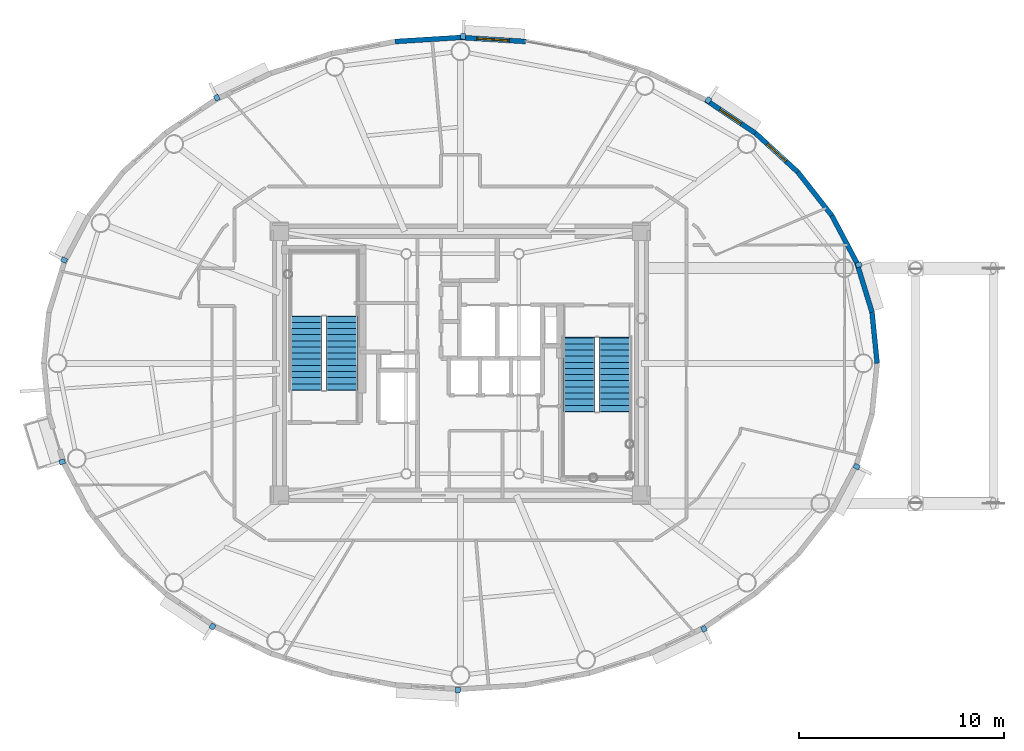
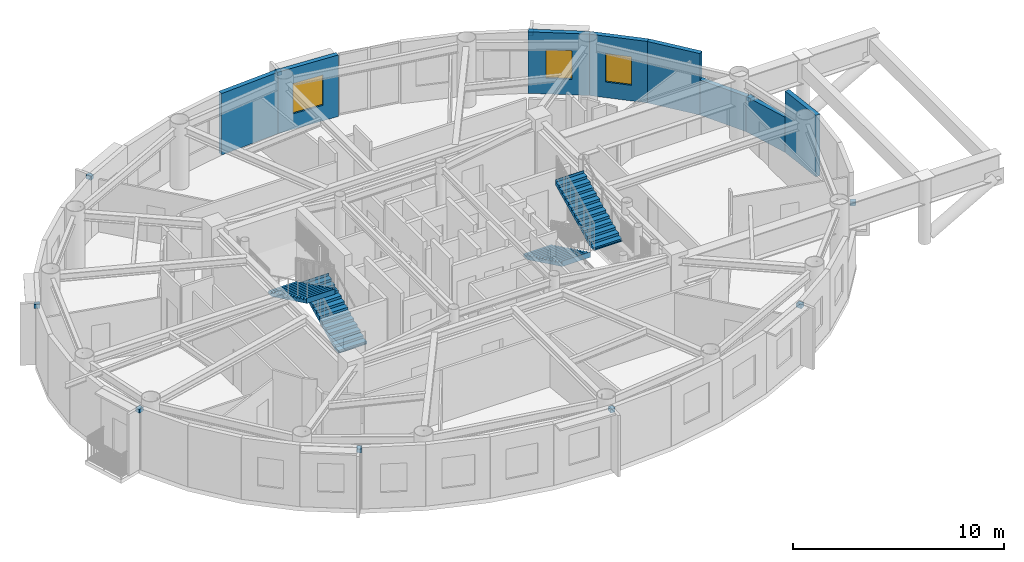
# One storey, part 12 of 19: 10 discrete accessories, 8 walls, 4 stair flights, 3 windows, 3 openings, 2 elements without a shape of their own.
"""IFC4 building model written with IfcOpenShell, lengths in metres."""

from ifc_helpers import new_model, si_unit, direction, frame, frame_2d, origin, origin_2d, place, context, subcontext, project, spatial, polyline, rectangle, outline, extrude, source, transform, mapped, material, layer, layer_set, type_object, element, fill, aggregate, save


model = new_model("IFC4")

# Units and contexts
model_context = context("Model", 3, precision=1e-05, world=origin(), true_north=direction((0.0, 1.0)))
body_context = subcontext(model_context, "Body", "Model", "MODEL_VIEW")
ifc_project = project(units=[si_unit("LENGTHUNIT", "METRE"), si_unit("AREAUNIT", "SQUARE_METRE"), si_unit("VOLUMEUNIT", "CUBIC_METRE"), si_unit("PLANEANGLEUNIT", "RADIAN"), si_unit("MASSUNIT", "GRAM", prefix="KILO")], contexts=[model_context])

# Site, building, storey
site_placement = place(None, origin())
site = spatial("IfcSite", under=ifc_project, at=site_placement, CompositionType="ELEMENT")
building_placement = place(site_placement, origin())
building = spatial("IfcBuilding", under=site, at=building_placement, Name="Linh Dai School and Residence Tower", CompositionType="ELEMENT")
storey_placement = place(building_placement, frame((0.0, 0.0, 339.199951171875)))
storey = spatial("IfcBuildingStorey", under=building, at=storey_placement, Name="L84", CompositionType="ELEMENT", Elevation=339.199951171875)

# Walls
ifc_material_1 = material(Name="Precast Concrete B45 (C35/45)", Category="concrete")
ifc_layer = layer(ifc_material_1, 0.239990234375)
ifc_layer_set = layer_set([ifc_layer], Name="Precast Concrete B45 (C35/45)")
wall_type = type_object("IfcWallType", Name="EW-TC-240", PredefinedType="SOLIDWALL", material=ifc_layer_set)
wall_1_placement = place(storey_placement, frame((56.125, 29.48681640625, 0.0), z_axis=(0.0, 0.0, 1.0), x_axis=(0.100025963401, -0.994984827344, 0.0)))
element("IfcWall", 1, at=wall_1_placement, inside=storey, type_object=wall_type, Name="L84 Terracotta Exterior Wall 01", PredefinedType="SOLIDWALL", context=body_context, shape_type="SweptSolid", body=[
    extrude(rectangle(XDim=2.499267578125, YDim=0.239990234375, at=frame_2d((1.24951171875, 0.0))), origin(), (0.0, 0.0, 1.0), 3.550048828125),
])
wall_2_placement = place(storey_placement, frame((55.381103515625, 31.913330078125, 0.0), z_axis=(0.0, 0.0, 1.0), x_axis=(0.293105547213, -0.956080089842, 0.0)))
element("IfcWall", 2, at=wall_2_placement, inside=storey, type_object=wall_type, Name="L84 Terracotta Exterior Wall 02", PredefinedType="SOLIDWALL", context=body_context, shape_type="SweptSolid", body=[
    extrude(rectangle(XDim=2.5380859375, YDim=0.239990234375, at=frame_2d((1.26904296875, 0.0))), origin(), (0.0, 0.0, 1.0), 2.03515625),
])
wall_3_placement = place(storey_placement, frame((54.160888671875, 34.220703125, 0.0), z_axis=(0.0, 0.0, 1.0), x_axis=(0.467487999989, -0.883999417345, 0.0)))
element("IfcWall", 3, at=wall_3_placement, inside=storey, type_object=wall_type, Name="L84 Terracotta Exterior Wall 03", PredefinedType="SOLIDWALL", context=body_context, shape_type="SweptSolid", body=[
    extrude(rectangle(XDim=2.610107421875, YDim=0.239990234375, at=frame_2d((1.30517578125, 0.0))), origin(), (0.0, 0.0, 1.0), 2.03515625),
])
wall_4_placement = place(storey_placement, frame((52.4931640625, 36.351806640625, 0.0), z_axis=(0.0, 0.0, 1.0), x_axis=(0.616286367698, -0.78752213492, 0.0)))
element("IfcWall", 4, at=wall_4_placement, inside=storey, type_object=wall_type, Name="L84 Terracotta Exterior Wall 04", PredefinedType="SOLIDWALL", context=body_context, shape_type="SweptSolid", body=[
    extrude(rectangle(XDim=2.7060546875, YDim=0.239990234375, at=frame_2d((1.35302734375, 0.0))), origin(), (0.0, 0.0, 1.0), 3.550048828125),
])

# Wall, opening, window
wall_5_placement = place(storey_placement, frame((50.418701171875, 38.254150390625, 0.0), z_axis=(0.0, 0.0, 1.0), x_axis=(0.737020907932, -0.675869944051, 0.0)))
wall_5 = element("IfcWall", 5, at=wall_5_placement, inside=storey, type_object=wall_type, Name="L84 Terracotta Exterior Wall 05", PredefinedType="SOLIDWALL", context=body_context, shape_type="SweptSolid", body=[
    extrude(rectangle(XDim=2.814697265625, YDim=0.239990234375, at=frame_2d((1.4072265625, 0.0))), origin(), (0.0, 0.0, 1.0), 3.550048828125),
])
opening_1_placement = place(wall_5_placement, frame((0.781982421875, 0.0, 0.89990234375)))
opening_1 = element("IfcOpeningElement", 6, at=opening_1_placement, cuts=wall_5, Name="Opening W3", PredefinedType="OPENING", context=body_context, shape_type="SweptSolid", body=[
    extrude(rectangle(XDim=1.25, YDim=1.64990234375, at=origin_2d()), frame((0.625, 0.1298828125, 0.824951171875), z_axis=(0.0, -1.0, 0.0), x_axis=(1.0, 0.0, 0.0)), (0.0, 0.0, 1.0), 0.260009765625),
])
ifc_material_2 = material(Name="Double Low-E Insulated Glazing", Category="glass")
window_type_1 = type_object("IfcWindowType", Name="WN-RES-1250x1650", PartitioningType="SINGLE_PANEL", PredefinedType="WINDOW", material=ifc_material_2)
shared_shape_1 = source(origin(), body_context, "Body", "SweptSolid", [
    extrude(rectangle(XDim=1.25, YDim=1.64990234375, at=origin_2d()), frame((0.625, 0.030029296875, 0.824951171875), z_axis=(0.0, -1.0, 0.0), x_axis=(1.0, 0.0, 0.0)), (0.0, 0.0, 1.0), 0.06005859375),
])
window_1_placement = place(opening_1_placement, origin())
window_1 = element("IfcWindow", 7, at=window_1_placement, inside=storey, type_object=window_type_1, Name="L84 Exterior Window 05.1", OverallHeight=1.64990234375, OverallWidth=1.25, PartitioningType="SINGLE_PANEL", PredefinedType="WINDOW", context=body_context, shape_type="MappedRepresentation", body=[
    mapped(shared_shape_1, transform((0.0, 0.0, 0.0), x_axis=(1.0, 0.0, 0.0), y_axis=(0.0, 1.0, 0.0), z_axis=(0.0, 0.0, 1.0), scale=1.0)),
])
fill(opening_1, window_1)

wall_6_placement = place(storey_placement, frame((47.98779296875, 39.880126953125, 0.0), z_axis=(0.0, 0.0, 1.0), x_axis=(0.831201688654, -0.555970999944, 0.0)))
wall_6 = element("IfcWall", 8, at=wall_6_placement, inside=storey, type_object=wall_type, Name="L84 Terracotta Exterior Wall 06", PredefinedType="SOLIDWALL", context=body_context, shape_type="SweptSolid", body=[
    extrude(rectangle(XDim=2.924560546875, YDim=0.239990234375, at=frame_2d((1.46240234375, 0.0))), origin(), (0.0, 0.0, 1.0), 3.550048828125),
])
opening_2_placement = place(wall_6_placement, frame((0.837158203125, 0.0, 0.89990234375)))
opening_2 = element("IfcOpeningElement", 9, at=opening_2_placement, cuts=wall_6, Name="Opening W3", PredefinedType="OPENING", context=body_context, shape_type="SweptSolid", body=[
    extrude(rectangle(XDim=1.25, YDim=1.64990234375, at=origin_2d()), frame((0.625, 0.1298828125, 0.824951171875), z_axis=(0.0, -1.0, 0.0), x_axis=(1.0, 0.0, 0.0)), (0.0, 0.0, 1.0), 0.260009765625),
])
window_2_placement = place(opening_2_placement, origin())
window_2 = element("IfcWindow", 10, at=window_2_placement, inside=storey, type_object=window_type_1, Name="L84 Exterior Window 06.1", OverallHeight=1.64990234375, OverallWidth=1.25, PartitioningType="SINGLE_PANEL", PredefinedType="WINDOW", context=body_context, shape_type="MappedRepresentation", body=[
    mapped(shared_shape_1, transform((0.0, 0.0, 0.0), x_axis=(1.0, 0.0, 0.0), y_axis=(0.0, 1.0, 0.0), z_axis=(0.0, 0.0, 1.0), scale=1.0)),
])
fill(opening_2, window_2)

wall_7_placement = place(storey_placement, frame((36.0, 42.929931640625, 0.0), z_axis=(0.0, 0.0, 1.0), x_axis=(0.998109204399, -0.061465568355, 0.0)))
wall_7 = element("IfcWall", 11, at=wall_7_placement, inside=storey, type_object=wall_type, Name="L84 Terracotta Exterior Wall 10", PredefinedType="SOLIDWALL", context=body_context, shape_type="SweptSolid", body=[
    extrude(rectangle(XDim=3.197509765625, YDim=0.239990234375, at=frame_2d((1.5986328125, 0.0))), origin(), (0.0, 0.0, 1.0), 3.550048828125),
])
opening_3_placement = place(wall_7_placement, frame((0.798828125, 0.0, 0.89990234375)))
opening_3 = element("IfcOpeningElement", 12, at=opening_3_placement, cuts=wall_7, Name="Opening W2", PredefinedType="OPENING", context=body_context, shape_type="SweptSolid", body=[
    extrude(rectangle(XDim=1.60009765625, YDim=1.75, at=origin_2d()), frame((0.800048828125, 0.1298828125, 0.875), z_axis=(0.0, -1.0, 0.0), x_axis=(1.0, 0.0, 0.0)), (0.0, 0.0, 1.0), 0.260009765625),
])
window_type_2 = type_object("IfcWindowType", Name="WN-RES-1600x1750", PartitioningType="DOUBLE_PANEL_VERTICAL", PredefinedType="WINDOW", material=ifc_material_2)
shared_shape_2 = source(origin(), body_context, "Body", "SweptSolid", [
    extrude(rectangle(XDim=1.60009765625, YDim=1.75, at=origin_2d()), frame((0.800048828125, 0.030029296875, 0.875), z_axis=(0.0, -1.0, 0.0), x_axis=(1.0, 0.0, 0.0)), (0.0, 0.0, 1.0), 0.06005859375),
])
window_3_placement = place(opening_3_placement, origin())
window_3 = element("IfcWindow", 13, at=window_3_placement, inside=storey, type_object=window_type_2, Name="L84 Exterior Window 10.1", OverallHeight=1.75, OverallWidth=1.60009765625, PartitioningType="DOUBLE_PANEL_VERTICAL", PredefinedType="WINDOW", context=body_context, shape_type="MappedRepresentation", body=[
    mapped(shared_shape_2, transform((0.0, 0.0, 0.0), x_axis=(1.0, 0.0, 0.0), y_axis=(0.0, 1.0, 0.0), z_axis=(0.0, 0.0, 1.0), scale=1.0)),
])
fill(opening_3, window_3)

# Wall
wall_8_placement = place(storey_placement, frame((32.80859375, 42.7333984375, 0.0), z_axis=(0.0, 0.0, 1.0), x_axis=(0.998109204399, 0.061465568355, 0.0)))
element("IfcWall", 14, at=wall_8_placement, inside=storey, type_object=wall_type, Name="L84 Terracotta Exterior Wall 11", PredefinedType="SOLIDWALL", context=body_context, shape_type="SweptSolid", body=[
    extrude(rectangle(XDim=3.197509765625, YDim=0.239990234375, at=frame_2d((1.5986328125, 0.0))), origin(), (0.0, 0.0, 1.0), 3.550048828125),
])

# Stair, stair flights
ifc_material_3 = material(Name="Concrete B45 (C35/45)", Category="concrete")
stair_type = type_object("IfcStairType", Name="ST-DOG-1550-R1462", PredefinedType="HALF_TURN_STAIR", material=ifc_material_3)
stair_1_placement = place(storey_placement, origin())
stair_1 = element("IfcStair", 15, at=stair_1_placement, inside=storey, type_object=stair_type, Name="L84 Core Smokeproof Exit Stair ST1", PredefinedType="HALF_TURN_STAIR")
stair_flight_type = type_object("IfcStairFlightType", Name="STF-STR-1550-R1462", PredefinedType="STRAIGHT", material=ifc_material_3)
shared_shape_3 = source(origin(), body_context, "Body", "SweptSolid", [
    extrude(outline(polyline([(-0.02490234375, 0.0), (-0.02490234375, 0.06005859375), (0.0, 0.06005859375), (0.0, 0.146240234375), (0.300048828125, 0.146240234375), (0.300048828125, 0.292236328125), (0.60009765625, 0.292236328125), (0.60009765625, 0.4384765625), (0.89990234375, 0.4384765625), (0.89990234375, 0.584716796875), (1.199951171875, 0.584716796875), (1.199951171875, 0.730712890625), (1.5, 0.730712890625), (1.5, 0.876953125), (1.800048828125, 0.876953125), (1.800048828125, 1.023193359375), (2.10009765625, 1.023193359375), (2.10009765625, 1.169189453125), (2.39990234375, 1.169189453125), (2.39990234375, 1.3154296875), (2.699951171875, 1.3154296875), (2.699951171875, 1.46142578125), (3.0, 1.46142578125), (3.0, 1.607666015625), (3.300048828125, 1.607666015625), (3.300048828125, 1.75390625), (3.60009765625, 1.75390625), (3.60009765625, 1.89990234375), (3.625, 1.89990234375), (3.625, 1.587158203125), (3.60009765625, 1.587158203125), (0.34228515625, 0.0), (-0.02490234375, 0.0)])), frame((0.0, 0.77490234375, 0.0), z_axis=(0.0, -1.0, 0.0), x_axis=(1.0, 0.0, 0.0)), (0.0, 0.0, 1.0), 1.550048828125),
])
stair_flight_1_placement = place(storey_placement, frame((30.205078125, 25.699951171875, 0.0), z_axis=(0.0, 0.0, 1.0), x_axis=(0.0, 1.0, 0.0)))
stair_flight_1 = element("IfcStairFlight", 16, at=stair_flight_1_placement, type_object=stair_flight_type, Name="ST1 flight 1", NumberOfRisers=13, NumberOfTreads=12, PredefinedType="STRAIGHT", RiserHeight=0.146153846, TreadLength=0.3, context=body_context, shape_type="MappedRepresentation", body=[
    mapped(shared_shape_3, transform((0.0, 0.0, 0.0), x_axis=(1.0, 0.0, 0.0), y_axis=(0.0, 1.0, 0.0), z_axis=(0.0, 0.0, 1.0), scale=1.0)),
])
stair_flight_2_placement = place(storey_placement, frame((28.455078125, 29.300048828125, 1.900146484375), z_axis=(0.0, 0.0, 1.0), x_axis=(0.0, -1.0, 0.0)))
stair_flight_2 = element("IfcStairFlight", 17, at=stair_flight_2_placement, type_object=stair_flight_type, Name="ST1 flight 2", NumberOfRisers=13, NumberOfTreads=12, PredefinedType="STRAIGHT", RiserHeight=0.146153846, TreadLength=0.3, context=body_context, shape_type="MappedRepresentation", body=[
    mapped(shared_shape_3, transform((0.0, 0.0, 0.0), x_axis=(1.0, 0.0, 0.0), y_axis=(0.0, 1.0, 0.0), z_axis=(0.0, 0.0, 1.0), scale=1.0)),
])
aggregate(stair_1, [stair_flight_1, stair_flight_2])

stair_2_placement = place(storey_placement, origin())
stair_2 = element("IfcStair", 18, at=stair_2_placement, inside=storey, type_object=stair_type, Name="L84 Core Smokeproof Exit Stair ST2", PredefinedType="HALF_TURN_STAIR")
stair_flight_3_placement = place(storey_placement, frame((41.794921875, 28.25, 0.0), z_axis=(0.0, 0.0, 1.0), x_axis=(0.0, -1.0, 0.0)))
stair_flight_3 = element("IfcStairFlight", 19, at=stair_flight_3_placement, type_object=stair_flight_type, Name="ST2 flight 1", NumberOfRisers=13, NumberOfTreads=12, PredefinedType="STRAIGHT", RiserHeight=0.146153846, TreadLength=0.3, context=body_context, shape_type="MappedRepresentation", body=[
    mapped(shared_shape_3, transform((0.0, 0.0, 0.0), x_axis=(1.0, 0.0, 0.0), y_axis=(0.0, 1.0, 0.0), z_axis=(0.0, 0.0, 1.0), scale=1.0)),
])
stair_flight_4_placement = place(storey_placement, frame((43.544921875, 24.64990234375, 1.900146484375), z_axis=(0.0, 0.0, 1.0), x_axis=(0.0, 1.0, 0.0)))
stair_flight_4 = element("IfcStairFlight", 20, at=stair_flight_4_placement, type_object=stair_flight_type, Name="ST2 flight 2", NumberOfRisers=13, NumberOfTreads=12, PredefinedType="STRAIGHT", RiserHeight=0.146153846, TreadLength=0.3, context=body_context, shape_type="MappedRepresentation", body=[
    mapped(shared_shape_3, transform((0.0, 0.0, 0.0), x_axis=(1.0, 0.0, 0.0), y_axis=(0.0, 1.0, 0.0), z_axis=(0.0, 0.0, 1.0), scale=1.0)),
])
aggregate(stair_2, [stair_flight_3, stair_flight_4])

# Discrete accessories
ifc_material_4 = material(Name="Structural Steel S355JR", Category="steel")
discrete_accessory_type = type_object("IfcDiscreteAccessoryType", Name="ACC-BRK-S355", PredefinedType="BRACKET", material=ifc_material_4)
shared_shape_4 = source(origin(), body_context, "Body", "SweptSolid", [
    extrude(rectangle(XDim=0.280029296875, YDim=0.239990234375, at=origin_2d()), origin(), (0.0, 0.0, 1.0), 0.219970703125),
])
for number, where, z_axis, x_axis, name in (
    (21, (55.4736328125, 31.816162109375, 1.78515625), (0.0, 0.0, 1.0), (0.956083389379, 0.293094784248, 0.0), "L84 Facade Frame Anchor Bracket 02"),
    (22, (48.120849609375, 39.86328125, 3.30029296875), (0.0, 0.0, 1.0), (0.555970777144, 0.831201837679, 0.0), "L84 Facade Frame Anchor Bracket 06"),
    (23, (36.12353515625, 42.982421875, 3.30029296875), (0.0, 0.0, 1.0), (0.061518467854, 0.998105945335, 0.0), "L84 Facade Frame Anchor Bracket 10"),
    (24, (24.094482421875, 39.986083984375, 3.30029296875), (0.0, 0.0, 1.0), (-0.432673572418, 0.901550652892, 0.0), "L84 Facade Frame Anchor Bracket 14"),
    (25, (16.621826171875, 32.047607421875, 3.30029296875), (0.0, 0.0, 1.0), (-0.883971809156, 0.46754020214, 0.0), "L84 Facade Frame Anchor Bracket 18"),
    (26, (16.5263671875, 22.183837890625, 3.30029296875), (0.0, 0.0, 1.0), (-0.956083389379, -0.293094784248, 0.0), "L84 Facade Frame Anchor Bracket 22"),
    (27, (23.879150390625, 14.13671875, 3.30029296875), (0.0, 0.0, 1.0), (-0.555970777144, -0.831201837679, 0.0), "L84 Facade Frame Anchor Bracket 26"),
    (28, (35.87646484375, 11.017578125, 3.30029296875), (0.0, 0.0, 1.0), (-0.061518467854, -0.998105945335, 0.0), "L84 Facade Frame Anchor Bracket 30"),
    (29, (47.905517578125, 14.013916015625, 3.30029296875), (0.0, 0.0, 1.0), (0.432673572418, -0.901550652892, 0.0), "L84 Facade Frame Anchor Bracket 34"),
    (30, (55.378173828125, 21.952392578125, 1.78515625), (0.0, 0.0, 1.0), (0.883971809156, -0.46754020214, 0.0), "L84 Facade Frame Anchor Bracket 38"),
):
    element("IfcDiscreteAccessory", number, at=place(storey_placement, frame(where, z_axis=z_axis, x_axis=x_axis)), inside=storey, type_object=discrete_accessory_type, Name=name, PredefinedType="BRACKET", context=body_context, shape_type="MappedRepresentation", body=[
        mapped(shared_shape_4, transform((0.0, 0.0, 0.0), x_axis=(1.0, 0.0, 0.0), y_axis=(0.0, 1.0, 0.0), z_axis=(0.0, 0.0, 1.0), scale=1.0)),
    ])

save(model, "model.ifc")
